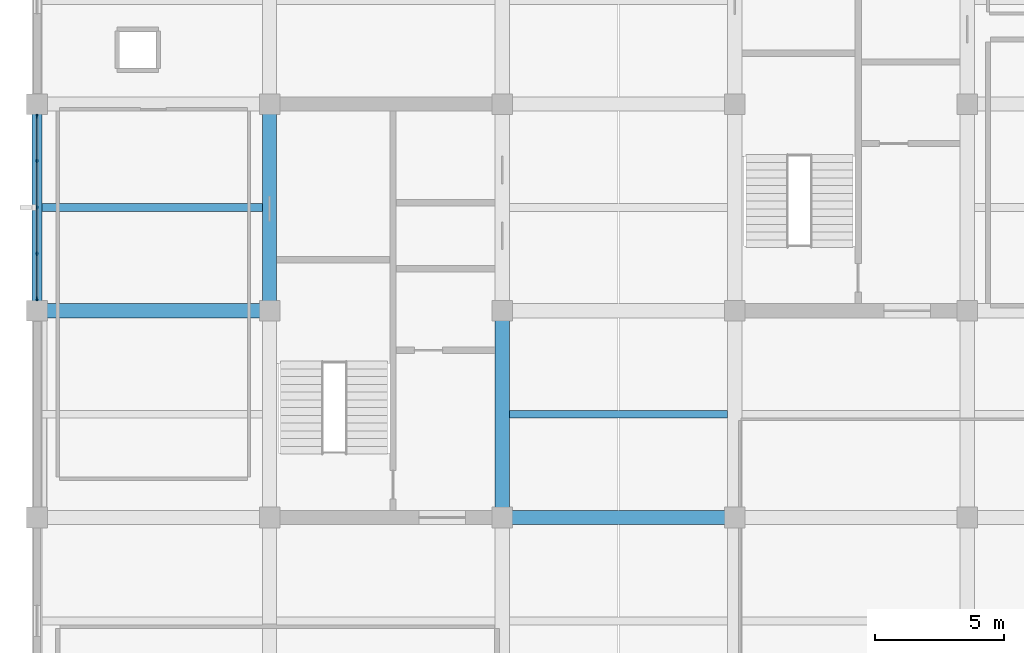
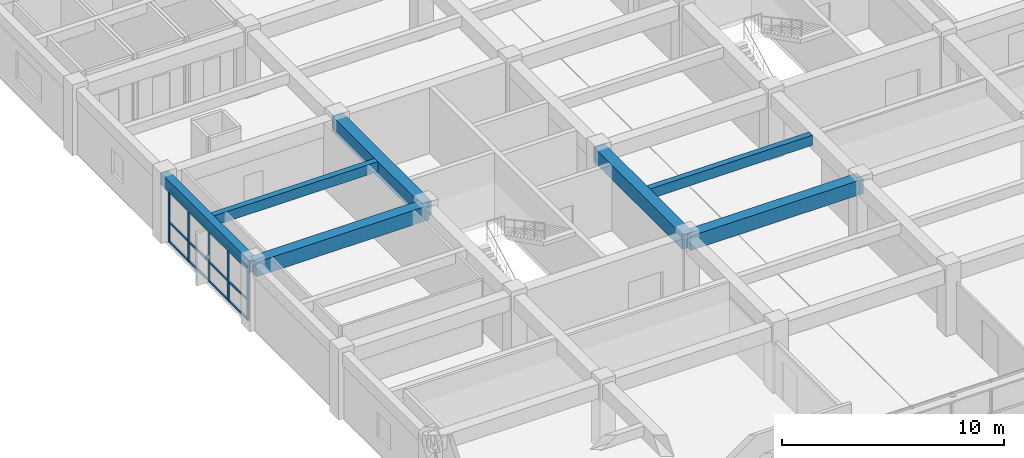
# One storey, part 4 of 16: 8 members, 7 beams, 1 element without a shape of its own.
"""IFC4 building model written with IfcOpenShell, lengths in metres."""

from ifc_helpers import new_model, si_unit, direction, frame, origin, origin_2d, place, context, subcontext, project, spatial, rectangle, extrude, material, material_profile, profile_set, type_object, element, aggregate, save


model = new_model("IFC4")

# Units and contexts
model_context = context("Model", 3, precision=1e-05, world=origin(), true_north=direction((0.0, 1.0)))
body_context = subcontext(model_context, "Body", "Model", "MODEL_VIEW")
ifc_project = project(units=[si_unit("LENGTHUNIT", "METRE"), si_unit("AREAUNIT", "SQUARE_METRE"), si_unit("VOLUMEUNIT", "CUBIC_METRE"), si_unit("PLANEANGLEUNIT", "RADIAN"), si_unit("MASSUNIT", "GRAM", prefix="KILO")], contexts=[model_context])

# Site, building, storey
site_placement = place(None, origin())
site = spatial("IfcSite", under=ifc_project, at=site_placement, CompositionType="ELEMENT")
building_placement = place(site_placement, origin())
building = spatial("IfcBuilding", under=site, at=building_placement, Name="Zaverband Oceanarium and Marine Research Institute", CompositionType="ELEMENT")
storey_placement = place(building_placement, frame((0.0, 0.0, 41.39990234375)))
storey = spatial("IfcBuildingStorey", under=building, at=storey_placement, Name="L10", CompositionType="ELEMENT", Elevation=41.39990234375)

# Beams
ifc_material_1 = material(Name="Concrete C40/50", Category="concrete")
ifc_material_profile_1 = material_profile(ifc_material_1, rectangle(XDim=0.550048828125, YDim=0.800048828125, at=origin_2d()), Name="RC550x800")
ifc_profile_set_1 = profile_set([ifc_material_profile_1], Name="Concrete C40/50")
beam_type_1 = type_object("IfcBeamType", Name="BM-550x800", PredefinedType="BEAM", material=ifc_profile_set_1)
for number, where, z_axis, x_axis, name in (
    (1, (27.0, 80.0, 3.22021484375), (1.0, 0.0, 0.0), (0.0, 1.0, 0.0), "Primary floor girder BM-550x800"),
    (2, (9.0, 88.0, 3.22021484375), (1.0, 0.0, 0.0), (0.0, 1.0, 0.0), "Primary floor girder BM-550x800"),
):
    element("IfcBeam", number, at=place(storey_placement, frame(where, z_axis=z_axis, x_axis=x_axis)), inside=storey, type_object=beam_type_1, Name=name, PredefinedType="BEAM", context=body_context, shape_type="SweptSolid", body=[
        extrude(rectangle(XDim=0.550048828125, YDim=0.800048828125, at=origin_2d()), origin(), (0.0, 0.0, 1.0), 9.0),
    ])
for number, where, z_axis, x_axis, name in (
    (3, (18.0, 88.0, 3.22021484375), (0.0, 1.0, 0.0), (-1.0, 0.0, 0.0), "Primary floor girder BM-550x800"),
    (4, (27.0, 80.0, 3.22021484375), (0.0, 1.0, 0.0), (-1.0, 0.0, 0.0), "Primary floor girder BM-550x800"),
):
    element("IfcBeam", number, at=place(storey_placement, frame(where, z_axis=z_axis, x_axis=x_axis)), inside=storey, type_object=beam_type_1, Name=name, PredefinedType="BEAM", context=body_context, shape_type="SweptSolid", body=[
        extrude(rectangle(XDim=0.550048828125, YDim=0.800048828125, at=origin_2d()), origin(), (0.0, 0.0, 1.0), 8.0),
    ])
ifc_material_profile_2 = material_profile(ifc_material_1, rectangle(XDim=0.300048828125, YDim=0.550048828125, at=origin_2d()), Name="RC300x550")
ifc_profile_set_2 = profile_set([ifc_material_profile_2], Name="Concrete C40/50")
beam_type_2 = type_object("IfcBeamType", Name="JST-300x550", PredefinedType="JOIST", material=ifc_profile_set_2)
beam_1_placement = place(storey_placement, frame((9.199951171875, 92.0, 3.34521484375), z_axis=(1.0, 0.0, 0.0), x_axis=(0.0, 1.0, 0.0)))
element("IfcBeam", 5, at=beam_1_placement, inside=storey, type_object=beam_type_2, Name="Secondary floor joist JST-300x550", PredefinedType="JOIST", context=body_context, shape_type="SweptSolid", body=[
    extrude(rectangle(XDim=0.300048828125, YDim=0.550048828125, at=origin_2d()), origin(), (0.0, 0.0, 1.0), 8.525146484375),
])
beam_2_placement = place(storey_placement, frame((27.27490234375, 84.0, 3.34521484375), z_axis=(1.0, 0.0, 0.0), x_axis=(0.0, 1.0, 0.0)))
element("IfcBeam", 6, at=beam_2_placement, inside=storey, type_object=beam_type_2, Name="Secondary floor joist JST-300x550", PredefinedType="JOIST", context=body_context, shape_type="SweptSolid", body=[
    extrude(rectangle(XDim=0.300048828125, YDim=0.550048828125, at=origin_2d()), origin(), (0.0, 0.0, 1.0), 8.4501953125),
])

# Curtain wall, members
ifc_material_2 = material(Name="Thermally broken anodized aluminium and solar-control glass", Category="aluminium")
curtain_wall_type = type_object("IfcCurtainWallType", Name="CW-UNIT-1800", PredefinedType="NOTDEFINED", material=ifc_material_2)
curtain_wall_placement = place(storey_placement, origin())
curtain_wall = element("IfcCurtainWall", 7, at=curtain_wall_placement, inside=storey, type_object=curtain_wall_type, Name="Unitised glazed curtain wall CW-119", PredefinedType="NOTDEFINED")
ifc_material_3 = material(Name="Thermally broken anodized aluminium", Category="aluminium")
ifc_material_profile_3 = material_profile(ifc_material_3, rectangle(XDim=0.070068359375, YDim=0.14990234375, at=origin_2d()), Name="AL-MUL-70x150")
ifc_profile_set_3 = profile_set([ifc_material_profile_3], Name="Thermally broken anodized aluminium")
member_type_1 = type_object("IfcMemberType", Name="MUL-70x150", PredefinedType="MULLION", material=ifc_profile_set_3)
member_1_placement = place(storey_placement, frame((9.0, 88.465087890625, 0.0), z_axis=(0.0, 0.0, 1.0), x_axis=(1.0, 0.0, 0.0)))
member_1 = element("IfcMember", 8, at=member_1_placement, type_object=member_type_1, Name="Curtain wall vertical mullion MUL-70x150", PredefinedType="MULLION", context=body_context, shape_type="SweptSolid", body=[
    extrude(rectangle(XDim=0.070068359375, YDim=0.14990234375, at=origin_2d()), origin(), (0.0, 0.0, 1.0), 2.9501953125),
])
member_2_placement = place(storey_placement, frame((9.0, 90.202392578125, 0.0), z_axis=(0.0, 0.0, 1.0), x_axis=(1.0, 0.0, 0.0)))
member_2 = element("IfcMember", 9, at=member_2_placement, type_object=member_type_1, Name="Curtain wall vertical mullion MUL-70x150", PredefinedType="MULLION", context=body_context, shape_type="SweptSolid", body=[
    extrude(rectangle(XDim=0.070068359375, YDim=0.14990234375, at=origin_2d()), origin(), (0.0, 0.0, 1.0), 2.9501953125),
])
member_3_placement = place(storey_placement, frame((9.0, 92.0, 0.0), z_axis=(0.0, 0.0, 1.0), x_axis=(1.0, 0.0, 0.0)))
member_3 = element("IfcMember", 10, at=member_3_placement, type_object=member_type_1, Name="Curtain wall vertical mullion MUL-70x150", PredefinedType="MULLION", context=body_context, shape_type="SweptSolid", body=[
    extrude(rectangle(XDim=0.070068359375, YDim=0.14990234375, at=origin_2d()), origin(), (0.0, 0.0, 1.0), 2.9501953125),
])
member_4_placement = place(storey_placement, frame((9.0, 93.797607421875, 0.0), z_axis=(0.0, 0.0, 1.0), x_axis=(1.0, 0.0, 0.0)))
member_4 = element("IfcMember", 11, at=member_4_placement, type_object=member_type_1, Name="Curtain wall vertical mullion MUL-70x150", PredefinedType="MULLION", context=body_context, shape_type="SweptSolid", body=[
    extrude(rectangle(XDim=0.070068359375, YDim=0.14990234375, at=origin_2d()), origin(), (0.0, 0.0, 1.0), 2.9501953125),
])
member_5_placement = place(storey_placement, frame((9.0, 95.534912109375, 0.0), z_axis=(0.0, 0.0, 1.0), x_axis=(1.0, 0.0, 0.0)))
member_5 = element("IfcMember", 12, at=member_5_placement, type_object=member_type_1, Name="Curtain wall vertical mullion MUL-70x150", PredefinedType="MULLION", context=body_context, shape_type="SweptSolid", body=[
    extrude(rectangle(XDim=0.070068359375, YDim=0.14990234375, at=origin_2d()), origin(), (0.0, 0.0, 1.0), 2.9501953125),
])

# Beam
ifc_material_profile_4 = material_profile(ifc_material_1, rectangle(XDim=0.39990234375, YDim=0.64990234375, at=origin_2d()), Name="RC400x650")
ifc_profile_set_4 = profile_set([ifc_material_profile_4], Name="Concrete C40/50")
beam_type_3 = type_object("IfcBeamType", Name="SPN-400x650", PredefinedType="SPANDREL", material=ifc_profile_set_4)
beam_3_placement = place(storey_placement, frame((9.0, 88.0, 3.295166015625), z_axis=(0.0, 1.0, 0.0), x_axis=(-1.0, 0.0, 0.0)))
element("IfcBeam", 13, at=beam_3_placement, inside=storey, type_object=beam_type_3, Name="Perimeter spandrel beam SPN-400x650", PredefinedType="SPANDREL", context=body_context, shape_type="SweptSolid", body=[
    extrude(rectangle(XDim=0.39990234375, YDim=0.64990234375, at=origin_2d()), origin(), (0.0, 0.0, 1.0), 8.0),
])

# Member
ifc_material_profile_5 = material_profile(ifc_material_3, rectangle(XDim=0.070068359375, YDim=0.114990234375, at=origin_2d()), Name="AL-TRN-70x115")
ifc_profile_set_5 = profile_set([ifc_material_profile_5], Name="Thermally broken anodized aluminium")
member_type_2 = type_object("IfcMemberType", Name="TRN-70x115", PredefinedType="USERDEFINED", material=ifc_profile_set_5)
member_6_placement = place(storey_placement, frame((9.0, 88.465087890625, 0.050048828125), z_axis=(0.0, 1.0, 0.0), x_axis=(-1.0, 0.0, 0.0)))
member_6 = element("IfcMember", 14, at=member_6_placement, type_object=member_type_2, Name="Curtain wall horizontal transom TRN-70x115", ObjectType="TRANSOM", PredefinedType="USERDEFINED", context=body_context, shape_type="SweptSolid", body=[
    extrude(rectangle(XDim=0.070068359375, YDim=0.114990234375, at=origin_2d()), origin(), (0.0, 0.0, 1.0), 7.06982421875),
])

member_7_placement = place(storey_placement, frame((9.0, 88.465087890625, 1.112060546875), z_axis=(0.0, 1.0, 0.0), x_axis=(-1.0, 0.0, 0.0)))
member_7 = element("IfcMember", 15, at=member_7_placement, type_object=member_type_2, Name="Curtain wall horizontal transom TRN-70x115", ObjectType="TRANSOM", PredefinedType="USERDEFINED", context=body_context, shape_type="SweptSolid", body=[
    extrude(rectangle(XDim=0.070068359375, YDim=0.114990234375, at=origin_2d()), origin(), (0.0, 0.0, 1.0), 7.06982421875),
])

member_8_placement = place(storey_placement, frame((9.0, 88.465087890625, 2.900146484375), z_axis=(0.0, 1.0, 0.0), x_axis=(-1.0, 0.0, 0.0)))
member_8 = element("IfcMember", 16, at=member_8_placement, type_object=member_type_2, Name="Curtain wall horizontal transom TRN-70x115", ObjectType="TRANSOM", PredefinedType="USERDEFINED", context=body_context, shape_type="SweptSolid", body=[
    extrude(rectangle(XDim=0.070068359375, YDim=0.114990234375, at=origin_2d()), origin(), (0.0, 0.0, 1.0), 7.06982421875),
])

aggregate(curtain_wall, [member_1, member_2, member_3, member_4, member_5, member_6, member_7, member_8])

save(model, "model.ifc")
